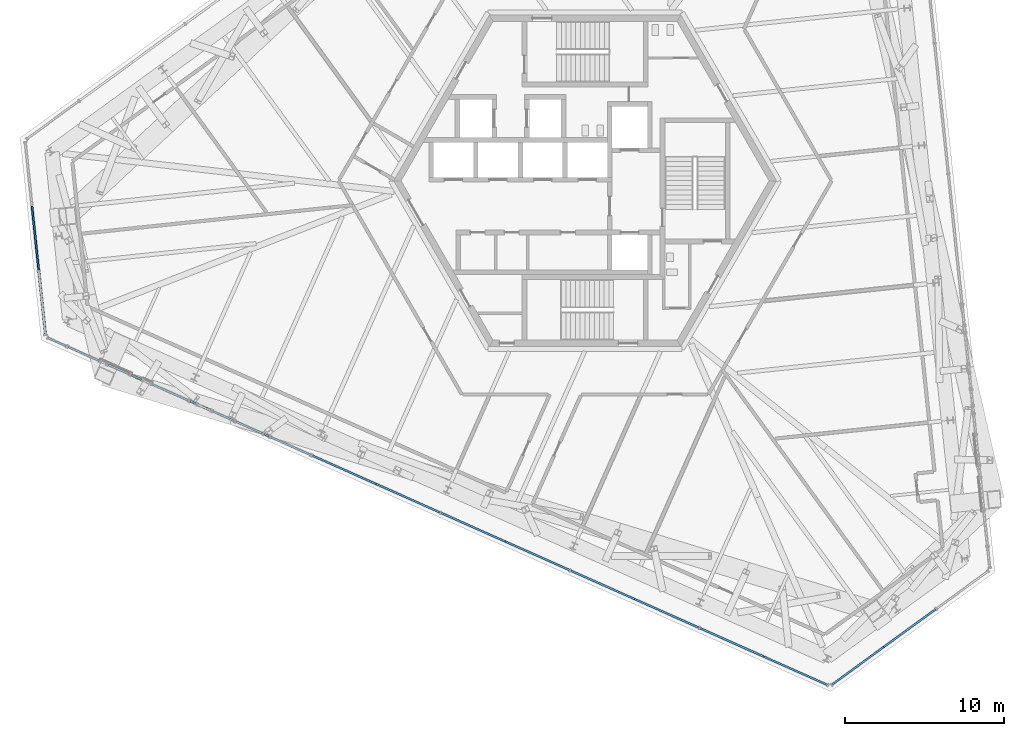
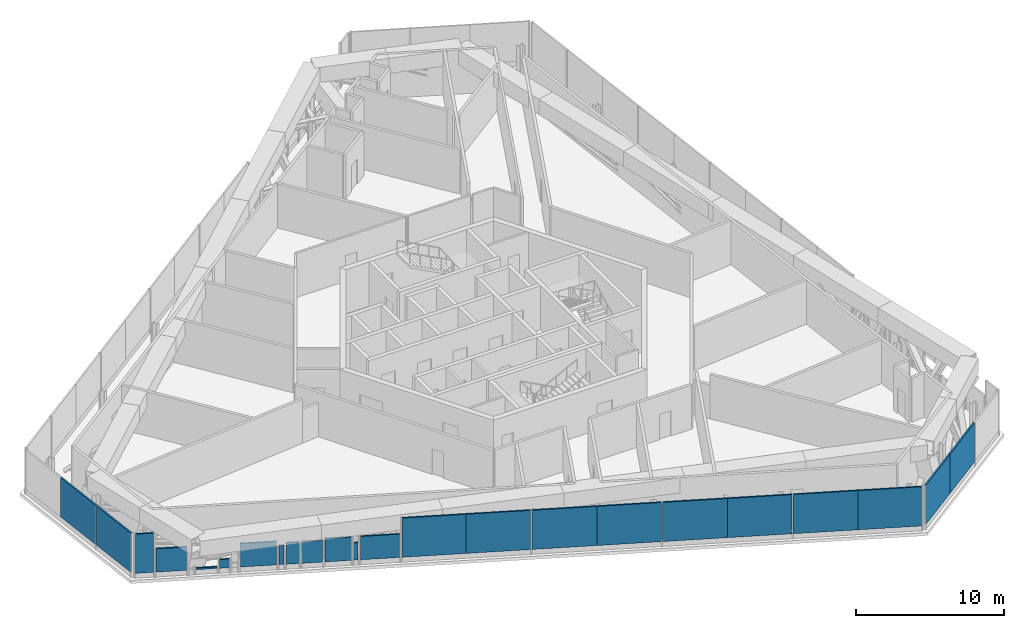
# One storey, part 13 of 30: 23 plates, 14 elements without a shape of their own.
"""IFC4 building model written with IfcOpenShell, lengths in metres."""

from ifc_helpers import new_model, si_unit, direction, frame, origin, origin_2d, place, context, subcontext, project, spatial, rectangle, extrude, source, transform, mapped, material, layer, layer_set, type_object, element, aggregate, save


model = new_model("IFC4")

# Units and contexts
model_context = context("Model", 3, precision=1e-05, world=origin(), true_north=direction((0.0, 1.0)))
body_context = subcontext(model_context, "Body", "Model", "MODEL_VIEW")
ifc_project = project(units=[si_unit("LENGTHUNIT", "METRE"), si_unit("AREAUNIT", "SQUARE_METRE"), si_unit("VOLUMEUNIT", "CUBIC_METRE"), si_unit("PLANEANGLEUNIT", "RADIAN"), si_unit("MASSUNIT", "GRAM", prefix="KILO")], contexts=[model_context])

# Site, building, storey
site_placement = place(None, origin())
site = spatial("IfcSite", under=ifc_project, at=site_placement, CompositionType="ELEMENT")
building_placement = place(site_placement, origin())
building = spatial("IfcBuilding", under=site, at=building_placement, Name="Triune Harvest Tower", CompositionType="ELEMENT")
storey_placement = place(building_placement, frame((0.0, 0.0, 94.5)))
storey = spatial("IfcBuildingStorey", under=building, at=storey_placement, Name="L23", CompositionType="ELEMENT", Elevation=94.5)

# Curtain wall, plate
ifc_material_1 = material(Name="Aluminium bronze anodised", Category="aluminium")
curtain_wall_type = type_object("IfcCurtainWallType", Name="CW-5 Plant louvre wall", PredefinedType="NOTDEFINED", material=ifc_material_1)
curtain_wall_1_placement = place(storey_placement, origin())
curtain_wall_1 = element("IfcCurtainWall", 1, at=curtain_wall_1_placement, inside=storey, type_object=curtain_wall_type, Name="CW-5 B2-F5 L23 run 101")
ifc_material_2 = material(Name="Aluminium bronze anodised", Category="aluminium")
ifc_layer = layer(ifc_material_2, 0.1201171875)
ifc_layer_set = layer_set([ifc_layer], Name="Aluminium bronze anodised")
plate_type = type_object("IfcPlateType", Name="GL-5 panel 120", PredefinedType="CURTAIN_PANEL", material=ifc_layer_set)
plate_1_placement = place(storey_placement, frame((-31.430419921875, -10.85205078125, 0.39990234375), z_axis=(0.0, 0.0, 1.0), x_axis=(0.913543786392, -0.406740396745, 0.0)))
plate_1 = element("IfcPlate", 2, at=plate_1_placement, type_object=plate_type, Name="CW-5 panel B2-F5 101.1", PredefinedType="CURTAIN_PANEL", context=body_context, shape_type="SweptSolid", body=[
    extrude(rectangle(XDim=2.10546875, YDim=0.1201171875, at=origin_2d()), origin(), (0.0, 0.0, 1.0), 1.929931640625),
])
aggregate(curtain_wall_1, [plate_1])

curtain_wall_2_placement = place(storey_placement, origin())
curtain_wall_2 = element("IfcCurtainWall", 3, at=curtain_wall_2_placement, inside=storey, type_object=curtain_wall_type, Name="CW-5 B2-F5 L23 run 301")
plate_2_placement = place(storey_placement, frame((-29.242431640625, -11.826171875, 0.39990234375), z_axis=(0.0, 0.0, 1.0), x_axis=(0.913541651446, -0.406745191827, 0.0)))
plate_2 = element("IfcPlate", 4, at=plate_2_placement, type_object=plate_type, Name="CW-5 panel B2-F5 301.1", PredefinedType="CURTAIN_PANEL", context=body_context, shape_type="SweptSolid", body=[
    extrude(rectangle(XDim=1.43017578125, YDim=0.1201171875, at=origin_2d()), origin(), (0.0, 0.0, 1.0), 0.132080078125),
])
aggregate(curtain_wall_2, [plate_2])

curtain_wall_3_placement = place(storey_placement, origin())
curtain_wall_3 = element("IfcCurtainWall", 5, at=curtain_wall_3_placement, inside=storey, type_object=curtain_wall_type, Name="CW-5 B2-F5 L23 run 401")
plate_3_placement = place(storey_placement, frame((-28.133544921875, -12.31982421875, 0.400146484375), z_axis=(0.0, 0.0, 1.0), x_axis=(0.913525673841, -0.406781075314, 0.0)))
plate_3 = element("IfcPlate", 6, at=plate_3_placement, type_object=plate_type, Name="CW-5 panel B2-F5 401.1", PredefinedType="CURTAIN_PANEL", context=body_context, shape_type="SweptSolid", body=[
    extrude(rectangle(XDim=0.67724609375, YDim=0.1201171875, at=origin_2d()), origin(), (0.0, 0.0, 1.0), 0.72314453125),
])
aggregate(curtain_wall_3, [plate_3])

curtain_wall_4_placement = place(storey_placement, origin())
curtain_wall_4 = element("IfcCurtainWall", 7, at=curtain_wall_4_placement, inside=storey, type_object=curtain_wall_type, Name="CW-5 B2-F5 L23 run 601")
plate_4_placement = place(storey_placement, frame((-26.02490234375, -13.2587890625, 0.39990234375), z_axis=(0.0, 0.0, 1.0), x_axis=(0.913543573679, -0.406740874502, 0.0)))
plate_4 = element("IfcPlate", 8, at=plate_4_placement, type_object=plate_type, Name="CW-5 panel B2-F5 601.1", PredefinedType="CURTAIN_PANEL", context=body_context, shape_type="SweptSolid", body=[
    extrude(rectangle(XDim=2.473388671875, YDim=0.1201171875, at=origin_2d()), origin(), (0.0, 0.0, 1.0), 1.929931640625),
])
aggregate(curtain_wall_4, [plate_4])

curtain_wall_5_placement = place(storey_placement, origin())
curtain_wall_5 = element("IfcCurtainWall", 9, at=curtain_wall_5_placement, inside=storey, type_object=curtain_wall_type, Name="CW-5 B2-F5 L23 run 701")
plate_5_placement = place(storey_placement, frame((-24.591796875, -13.896728515625, 0.400146484375), z_axis=(0.0, 0.0, 1.0), x_axis=(0.91353313485, -0.406764319392, 0.0)))
plate_5 = element("IfcPlate", 10, at=plate_5_placement, type_object=plate_type, Name="CW-5 panel B2-F5 701.1", PredefinedType="CURTAIN_PANEL", context=body_context, shape_type="SweptSolid", body=[
    extrude(rectangle(XDim=0.343994140625, YDim=0.1201171875, at=origin_2d()), origin(), (0.0, 0.0, 1.0), 1.5771484375),
])
aggregate(curtain_wall_5, [plate_5])

curtain_wall_6_placement = place(storey_placement, origin())
curtain_wall_6 = element("IfcCurtainWall", 11, at=curtain_wall_6_placement, inside=storey, type_object=curtain_wall_type, Name="CW-5 B2-F5 L23 run 901")
plate_6_placement = place(storey_placement, frame((-22.68603515625, -14.745361328125, 0.39990234375), z_axis=(0.0, 0.0, 1.0), x_axis=(0.91354203906, -0.406744321251, 0.0)))
plate_6 = element("IfcPlate", 12, at=plate_6_placement, type_object=plate_type, Name="CW-5 panel B2-F5 901.1", PredefinedType="CURTAIN_PANEL", context=body_context, shape_type="SweptSolid", body=[
    extrude(rectangle(XDim=1.417236328125, YDim=0.1201171875, at=origin_2d()), origin(), (0.0, 0.0, 1.0), 1.790283203125),
])
aggregate(curtain_wall_6, [plate_6])

curtain_wall_7_placement = place(storey_placement, origin())
curtain_wall_7 = element("IfcCurtainWall", 13, at=curtain_wall_7_placement, inside=storey, type_object=curtain_wall_type, Name="CW-5 B2-F5 L23 run 1001")
plate_7_placement = place(storey_placement, frame((-21.06982421875, -15.46484375, 0.39990234375), z_axis=(0.0, 0.0, 1.0), x_axis=(0.91354217321, -0.406744019951, 0.0)))
plate_7 = element("IfcPlate", 14, at=plate_7_placement, type_object=plate_type, Name="CW-5 panel B2-F5 1001.1", PredefinedType="CURTAIN_PANEL", context=body_context, shape_type="SweptSolid", body=[
    extrude(rectangle(XDim=1.801025390625, YDim=0.1201171875, at=origin_2d()), origin(), (0.0, 0.0, 1.0), 1.929931640625),
])
aggregate(curtain_wall_7, [plate_7])

curtain_wall_8_placement = place(storey_placement, origin())
curtain_wall_8 = element("IfcCurtainWall", 15, at=curtain_wall_8_placement, inside=storey, type_object=curtain_wall_type, Name="CW-5 B2-F5 L23 run 1101")
plate_8_placement = place(storey_placement, frame((-19.96630859375, -15.956298828125, 0.39990234375), z_axis=(0.0, 0.0, 1.0), x_axis=(0.913557805712, -0.406708907726, 0.0)))
plate_8 = element("IfcPlate", 16, at=plate_8_placement, type_object=plate_type, Name="CW-5 panel B2-F5 1101.1", PredefinedType="CURTAIN_PANEL", context=body_context, shape_type="SweptSolid", body=[
    extrude(rectangle(XDim=0.29541015625, YDim=0.1201171875, at=origin_2d()), origin(), (0.0, 0.0, 1.0), 1.436279296875),
])
aggregate(curtain_wall_8, [plate_8])

curtain_wall_9_placement = place(storey_placement, origin())
curtain_wall_9 = element("IfcCurtainWall", 17, at=curtain_wall_9_placement, inside=storey, type_object=curtain_wall_type, Name="CW-5 B2-F5 L23 run 1201")
plate_9_placement = place(storey_placement, frame((-18.46240234375, -16.625732421875, 0.39990234375), z_axis=(0.0, 0.0, 1.0), x_axis=(0.913545350726, -0.406736883214, 0.0)))
plate_9 = element("IfcPlate", 18, at=plate_9_placement, type_object=plate_type, Name="CW-5 panel B2-F5 1201.1", PredefinedType="CURTAIN_PANEL", context=body_context, shape_type="SweptSolid", body=[
    extrude(rectangle(XDim=2.677001953125, YDim=0.1201171875, at=origin_2d()), origin(), (0.0, 0.0, 1.0), 1.929931640625),
])
aggregate(curtain_wall_9, [plate_9])

curtain_wall_10_placement = place(storey_placement, origin())
curtain_wall_10 = element("IfcCurtainWall", 19, at=curtain_wall_10_placement, inside=storey, type_object=curtain_wall_type, Name="CW-5 B2-F5 L23 run 1")
shared_shape_1 = source(origin(), body_context, "Body", "SweptSolid", [
    extrude(rectangle(XDim=1.2314453125, YDim=0.1201171875, at=origin_2d()), origin(), (0.0, 0.0, 1.0), 3.239990234375),
])
plate_10_placement = place(storey_placement, frame((-33.100830078125, -10.1083984375, 0.39990234375), z_axis=(0.0, 0.0, 1.0), x_axis=(0.913538702983, -0.40675181395, 0.0)))
plate_10 = element("IfcPlate", 20, at=plate_10_placement, type_object=plate_type, Name="CW-5 panel B2-F5 1.1", PredefinedType="CURTAIN_PANEL", context=body_context, shape_type="MappedRepresentation", body=[
    mapped(shared_shape_1, transform((0.0, 0.0, 0.0), scale=1.0)),
])
aggregate(curtain_wall_10, [plate_10])

curtain_wall_11_placement = place(storey_placement, origin())
curtain_wall_11 = element("IfcCurtainWall", 21, at=curtain_wall_11_placement, inside=storey, type_object=curtain_wall_type, Name="CW-5 B2-F5 L23 run 801")
shared_shape_2 = source(origin(), body_context, "Body", "SweptSolid", [
    extrude(rectangle(XDim=0.8857421875, YDim=0.1201171875, at=origin_2d()), origin(), (0.0, 0.0, 1.0), 1.77001953125),
])
plate_11_placement = place(storey_placement, frame((-23.884033203125, -14.2119140625, 0.400146484375), z_axis=(0.0, 0.0, 1.0), x_axis=(0.913555038326, -0.406715123827, 0.0)))
plate_11 = element("IfcPlate", 22, at=plate_11_placement, type_object=plate_type, Name="CW-5 panel B2-F5 801.1", PredefinedType="CURTAIN_PANEL", context=body_context, shape_type="MappedRepresentation", body=[
    mapped(shared_shape_2, transform((0.0, 0.0, 0.0), scale=1.0)),
])
aggregate(curtain_wall_11, [plate_11])

curtain_wall_12_placement = place(storey_placement, origin())
curtain_wall_12 = element("IfcCurtainWall", 23, at=curtain_wall_12_placement, inside=storey, type_object=curtain_wall_type, Name="CW-5 B2-F6 L23 run 1")
shared_shape_3 = source(origin(), body_context, "Body", "SweptSolid", [
    extrude(rectangle(XDim=3.993408203125, YDim=0.1201171875, at=origin_2d()), origin(), (0.0, 0.0, 1.0), 3.239990234375),
])
plate_12_placement = place(storey_placement, frame((17.107666015625, -30.40869140625, 0.39990234375), z_axis=(0.0, 0.0, 1.0), x_axis=(0.809013235692, 0.58779042564, 0.0)))
plate_12 = element("IfcPlate", 24, at=plate_12_placement, type_object=plate_type, Name="CW-5 panel B2-F6 1.1", PredefinedType="CURTAIN_PANEL", context=body_context, shape_type="MappedRepresentation", body=[
    mapped(shared_shape_3, transform((0.0, 0.0, 0.0), scale=1.0)),
])

curtain_wall_13_placement = place(storey_placement, origin())
curtain_wall_13 = element("IfcCurtainWall", 25, at=curtain_wall_13_placement, inside=storey, type_object=curtain_wall_type, Name="CW-5 B2-F4 L23 run 1")
shared_shape_4 = source(origin(), body_context, "Body", "SweptSolid", [
    extrude(rectangle(XDim=4.033447265625, YDim=0.1201171875, at=origin_2d()), origin(), (0.0, 0.0, 1.0), 3.239990234375),
])
plate_13_placement = place(storey_placement, frame((-34.46875, -3.602783203125, 0.39990234375), z_axis=(0.0, 0.0, 1.0), x_axis=(0.104529462601, -0.994521790334, 0.0)))
plate_13 = element("IfcPlate", 26, at=plate_13_placement, type_object=plate_type, Name="CW-5 panel B2-F4 1.2", PredefinedType="CURTAIN_PANEL", context=body_context, shape_type="MappedRepresentation", body=[
    mapped(shared_shape_4, transform((0.0, 0.0, 0.0), scale=1.0)),
])

# Plate
plate_14_placement = place(storey_placement, frame((20.3544921875, -28.049560546875, 0.39990234375), z_axis=(0.0, 0.0, 1.0), x_axis=(0.809013235692, 0.58779042564, 0.0)))
plate_14 = element("IfcPlate", 27, at=plate_14_placement, type_object=plate_type, Name="CW-5 panel B2-F6 1.2", PredefinedType="CURTAIN_PANEL", context=body_context, shape_type="MappedRepresentation", body=[
    mapped(shared_shape_4, transform((0.0, 0.0, 0.0), scale=1.0)),
])

aggregate(curtain_wall_12, [plate_12, plate_14])

shared_shape_5 = source(origin(), body_context, "Body", "SweptSolid", [
    extrude(rectangle(XDim=3.953369140625, YDim=0.1201171875, at=origin_2d()), origin(), (0.0, 0.0, 1.0), 3.239990234375),
])
plate_15_placement = place(storey_placement, frame((-34.04296875, -7.65380859375, 0.39990234375), z_axis=(0.0, 0.0, 1.0), x_axis=(0.104529462601, -0.994521790334, 0.0)))
plate_15 = element("IfcPlate", 28, at=plate_15_placement, type_object=plate_type, Name="CW-5 panel B2-F4 1.3", PredefinedType="CURTAIN_PANEL", context=body_context, shape_type="MappedRepresentation", body=[
    mapped(shared_shape_5, transform((0.0, 0.0, 0.0), scale=1.0)),
])

aggregate(curtain_wall_13, [plate_13, plate_15])

# Curtain wall, plates
curtain_wall_14_placement = place(storey_placement, origin())
curtain_wall_14 = element("IfcCurtainWall", 29, at=curtain_wall_14_placement, inside=storey, type_object=curtain_wall_type, Name="CW-5 B2-F5 L23 run 1301")
shared_shape_6 = source(origin(), body_context, "Body", "SweptSolid", [
    extrude(rectangle(XDim=4.358642578125, YDim=0.1201171875, at=origin_2d()), origin(), (0.0, 0.0, 1.0), 3.239990234375),
])
plate_16_placement = place(storey_placement, frame((-15.1025390625, -18.121826171875, 0.39990234375), z_axis=(0.0, 0.0, 1.0), x_axis=(0.913545178485, -0.406737270072, 0.0)))
plate_16 = element("IfcPlate", 30, at=plate_16_placement, type_object=plate_type, Name="CW-5 panel B2-F5 1301.1", PredefinedType="CURTAIN_PANEL", context=body_context, shape_type="MappedRepresentation", body=[
    mapped(shared_shape_6, transform((0.0, 0.0, 0.0), scale=1.0)),
])
plate_17_placement = place(storey_placement, frame((13.20849609375, -30.7265625, 0.39990234375), z_axis=(0.0, 0.0, 1.0), x_axis=(0.913545178485, -0.406737270072, 0.0)))
plate_17 = element("IfcPlate", 31, at=plate_17_placement, type_object=plate_type, Name="CW-5 panel B2-F5 1301.8", PredefinedType="CURTAIN_PANEL", context=body_context, shape_type="MappedRepresentation", body=[
    mapped(shared_shape_6, transform((0.0, 0.0, 0.0), scale=1.0)),
])
shared_shape_7 = source(origin(), body_context, "Body", "SweptSolid", [
    extrude(rectangle(XDim=4.398681640625, YDim=0.1201171875, at=origin_2d()), origin(), (0.0, 0.0, 1.0), 3.239990234375),
])
plate_18_placement = place(storey_placement, frame((-11.1025390625, -19.902587890625, 0.39990234375), z_axis=(0.0, 0.0, 1.0), x_axis=(0.913545178485, -0.406737270072, 0.0)))
plate_18 = element("IfcPlate", 32, at=plate_18_placement, type_object=plate_type, Name="CW-5 panel B2-F5 1301.2", PredefinedType="CURTAIN_PANEL", context=body_context, shape_type="MappedRepresentation", body=[
    mapped(shared_shape_7, transform((0.0, 0.0, 0.0), scale=1.0)),
])
plate_19_placement = place(storey_placement, frame((-7.010986328125, -21.724365234375, 0.39990234375), z_axis=(0.0, 0.0, 1.0), x_axis=(0.913545178485, -0.406737270072, 0.0)))
plate_19 = element("IfcPlate", 33, at=plate_19_placement, type_object=plate_type, Name="CW-5 panel B2-F5 1301.3", PredefinedType="CURTAIN_PANEL", context=body_context, shape_type="MappedRepresentation", body=[
    mapped(shared_shape_7, transform((0.0, 0.0, 0.0), scale=1.0)),
])
plate_20_placement = place(storey_placement, frame((-2.99267578125, -23.513427734375, 0.39990234375), z_axis=(0.0, 0.0, 1.0), x_axis=(0.913545178485, -0.406737270072, 0.0)))
plate_20 = element("IfcPlate", 34, at=plate_20_placement, type_object=plate_type, Name="CW-5 panel B2-F5 1301.4", PredefinedType="CURTAIN_PANEL", context=body_context, shape_type="MappedRepresentation", body=[
    mapped(shared_shape_7, transform((0.0, 0.0, 0.0), scale=1.0)),
])
plate_21_placement = place(storey_placement, frame((1.0986328125, -25.3349609375, 0.39990234375), z_axis=(0.0, 0.0, 1.0), x_axis=(0.913545178485, -0.406737270072, 0.0)))
plate_21 = element("IfcPlate", 35, at=plate_21_placement, type_object=plate_type, Name="CW-5 panel B2-F5 1301.5", PredefinedType="CURTAIN_PANEL", context=body_context, shape_type="MappedRepresentation", body=[
    mapped(shared_shape_7, transform((0.0, 0.0, 0.0), scale=1.0)),
])
plate_22_placement = place(storey_placement, frame((5.116943359375, -27.1240234375, 0.39990234375), z_axis=(0.0, 0.0, 1.0), x_axis=(0.913545178485, -0.406737270072, 0.0)))
plate_22 = element("IfcPlate", 36, at=plate_22_placement, type_object=plate_type, Name="CW-5 panel B2-F5 1301.6", PredefinedType="CURTAIN_PANEL", context=body_context, shape_type="MappedRepresentation", body=[
    mapped(shared_shape_7, transform((0.0, 0.0, 0.0), scale=1.0)),
])
plate_23_placement = place(storey_placement, frame((9.20849609375, -28.94580078125, 0.39990234375), z_axis=(0.0, 0.0, 1.0), x_axis=(0.913545178485, -0.406737270072, 0.0)))
plate_23 = element("IfcPlate", 37, at=plate_23_placement, type_object=plate_type, Name="CW-5 panel B2-F5 1301.7", PredefinedType="CURTAIN_PANEL", context=body_context, shape_type="MappedRepresentation", body=[
    mapped(shared_shape_7, transform((0.0, 0.0, 0.0), scale=1.0)),
])
aggregate(curtain_wall_14, [plate_16, plate_18, plate_19, plate_20, plate_21, plate_22, plate_23, plate_17])

save(model, "model.ifc")
